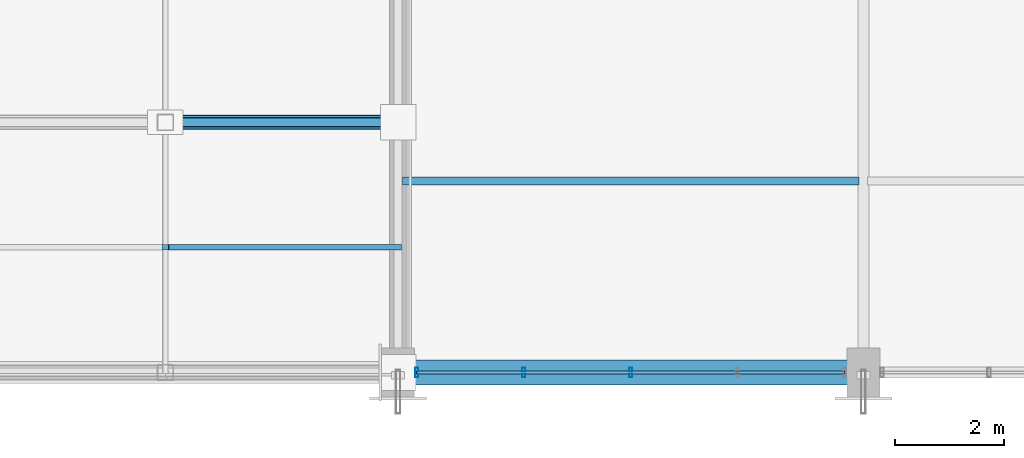
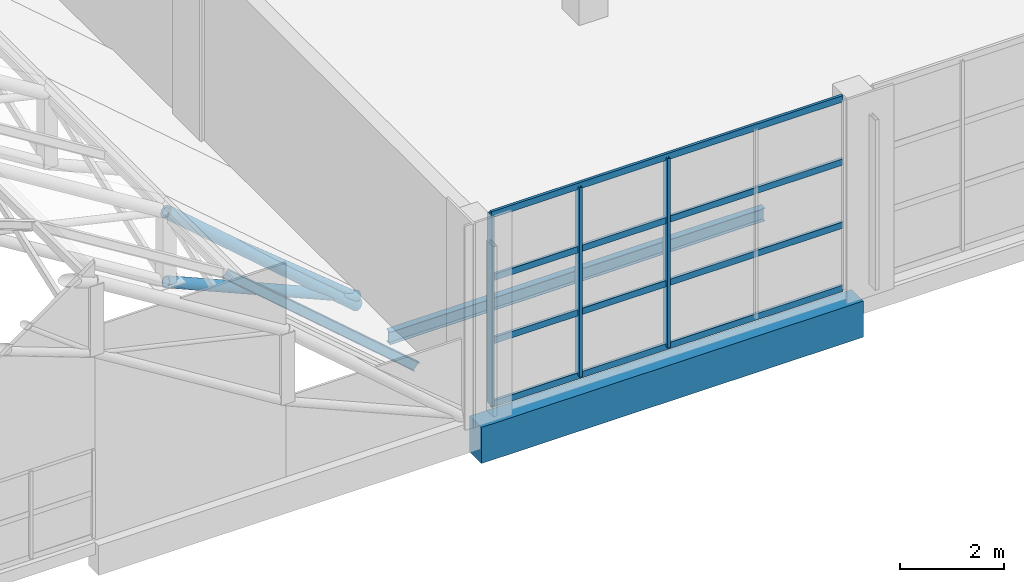
# One storey, part 17 of 86: 11 members, 2 beams, 1 element without a shape of its own.
"""IFC4 building model written with IfcOpenShell, lengths in metres."""

from ifc_helpers import new_model, si_unit, direction, frame, origin, origin_2d, place, context, subcontext, project, spatial, rectangle, hollow_rectangle, hollow_circle, i_section, extrude, material, material_profile, profile_set, type_object, element, aggregate, save


model = new_model("IFC4")

# Units and contexts
model_context = context("Model", 3, precision=1e-05, world=origin(), true_north=direction((0.0, 1.0)))
body_context = subcontext(model_context, "Body", "Model", "MODEL_VIEW")
ifc_project = project(units=[si_unit("LENGTHUNIT", "METRE"), si_unit("AREAUNIT", "SQUARE_METRE"), si_unit("VOLUMEUNIT", "CUBIC_METRE"), si_unit("PLANEANGLEUNIT", "RADIAN"), si_unit("MASSUNIT", "GRAM", prefix="KILO")], contexts=[model_context])

# Site, building, storey
site_placement = place(None, origin())
site = spatial("IfcSite", under=ifc_project, at=site_placement, CompositionType="ELEMENT")
building_placement = place(site_placement, origin())
building = spatial("IfcBuilding", under=site, at=building_placement, Name="Solvikara Media Centre", CompositionType="ELEMENT")
storey_placement = place(building_placement, frame((0.0, 0.0, 15.0)))
storey = spatial("IfcBuildingStorey", under=building, at=storey_placement, Name="L03", CompositionType="ELEMENT", Elevation=15.0)

# Beams
ifc_material_1 = material(Name="Concrete fc' 35 MPa (C35/45)", Category="concrete")
ifc_material_profile_1 = material_profile(ifc_material_1, rectangle(XDim=0.449951171875, YDim=0.85009765625, at=origin_2d()), Name="RC 450x850")
ifc_profile_set_1 = profile_set([ifc_material_profile_1], Name="Concrete fc' 35 MPa (C35/45)")
beam_type_1 = type_object("IfcBeamType", Name="BM-14", PredefinedType="SPANDREL", material=ifc_profile_set_1)
beam_1_placement = place(storey_placement, frame((34.0, 0.0, -0.705078125), z_axis=(1.0, 0.0, 0.0), x_axis=(0.0, 1.0, 0.0)))
element("IfcBeam", 1, at=beam_1_placement, inside=storey, type_object=beam_type_1, Name="B-L03-X1154", PredefinedType="SPANDREL", context=body_context, shape_type="SweptSolid", body=[
    extrude(rectangle(XDim=0.449951171875, YDim=0.85009765625, at=origin_2d()), origin(), (0.0, 0.0, 1.0), 8.5),
])
ifc_material_2 = material(Name="Steel S355JR", Category="steel")
ifc_material_profile_2 = material_profile(ifc_material_2, i_section(OverallWidth=0.14892578125, OverallDepth=0.298095703125, WebThickness=0.005615234375, FlangeThickness=0.008056640625, at=origin_2d()), Name="WF 298x149x5.5x8")
ifc_profile_set_2 = profile_set([ifc_material_profile_2], Name="Steel S355JR")
beam_type_2 = type_object("IfcBeamType", Name="BM-39", PredefinedType="JOIST", material=ifc_profile_set_2)
beam_2_placement = place(storey_placement, frame((34.077880859375, 3.5, -0.430908203125), z_axis=(1.0, 0.0, 0.0), x_axis=(0.0, 1.0, 0.0)))
element("IfcBeam", 2, at=beam_2_placement, inside=storey, type_object=beam_type_2, Name="J-L03-1375", PredefinedType="JOIST", context=body_context, shape_type="SweptSolid", body=[
    extrude(i_section(OverallWidth=0.14892578125, OverallDepth=0.298095703125, WebThickness=0.005615234375, FlangeThickness=0.008056640625, at=origin_2d()), origin(), (0.0, 0.0, 1.0), 8.34423828125),
])

# Members
ifc_material_profile_3 = material_profile(ifc_material_2, hollow_circle(Radius=0.136474609375, WallThickness=0.010009765625, at=origin_2d()), Name="CHS 273x10")
ifc_profile_set_3 = profile_set([ifc_material_profile_3], Name="Steel S355JR")
member_type_1 = type_object("IfcMemberType", Name="MB-03", PredefinedType="CHORD", material=ifc_profile_set_3)
member_1_placement = place(storey_placement, frame((29.75, 4.571044921875, 3.3798828125), z_axis=(0.756439869263, 0.0, -0.654063241736), x_axis=(0.0, 1.0, 0.0)))
element("IfcMember", 3, at=member_1_placement, inside=storey, type_object=member_type_1, Name="Space Frame Vault Chord GC-TC-01-07", PredefinedType="CHORD", context=body_context, shape_type="SweptSolid", body=[
    extrude(hollow_circle(Radius=0.136474609375, WallThickness=0.010009765625, at=origin_2d()), origin(), (0.0, 0.0, 1.0), 5.618408203125),
])
ifc_material_profile_4 = material_profile(ifc_material_2, hollow_circle(Radius=0.122314453125, WallThickness=0.010009765625, at=origin_2d()), Name="CHS 244.5x10")
ifc_profile_set_4 = profile_set([ifc_material_profile_4], Name="Steel S355JR")
member_type_2 = type_object("IfcMemberType", Name="MB-04", PredefinedType="CHORD", material=ifc_profile_set_4)
member_2_placement = place(storey_placement, frame((29.75, 4.571044921875, 1.72998046875), z_axis=(0.918466874624, 0.0, -0.395497914303), x_axis=(0.0, 1.0, 0.0)))
element("IfcMember", 4, at=member_2_placement, inside=storey, type_object=member_type_2, Name="GC-BC-01-07", PredefinedType="CHORD", context=body_context, shape_type="SweptSolid", body=[
    extrude(hollow_circle(Radius=0.122314453125, WallThickness=0.010009765625, at=origin_2d()), origin(), (0.0, 0.0, 1.0), 4.627197265625),
])
ifc_material_profile_5 = material_profile(ifc_material_2, hollow_circle(Radius=0.084228515625, WallThickness=0.007080078125, at=origin_2d()), Name="CHS 168.3x7.1")
ifc_profile_set_5 = profile_set([ifc_material_profile_5], Name="Steel S355JR")
member_type_3 = type_object("IfcMemberType", Name="MB-07", PredefinedType="BRACE", material=ifc_profile_set_5)
member_3_placement = place(storey_placement, frame((29.75, 4.571044921875, 3.3798828125), z_axis=(0.773715650361, 0.0, -0.633533023911), x_axis=(0.0, 1.0, 0.0)))
element("IfcMember", 5, at=member_3_placement, inside=storey, type_object=member_type_3, Name="GC-DG-01-07", PredefinedType="BRACE", context=body_context, shape_type="SweptSolid", body=[
    extrude(hollow_circle(Radius=0.084228515625, WallThickness=0.007080078125, at=origin_2d()), origin(), (0.0, 0.0, 1.0), 5.492919921875),
])
ifc_material_profile_6 = material_profile(ifc_material_2, i_section(OverallWidth=0.10009765625, OverallDepth=0.199951171875, WebThickness=0.005615234375, FlangeThickness=0.008056640625, at=origin_2d()), Name="WF 200x100x5.5x8")
ifc_profile_set_6 = profile_set([ifc_material_profile_6], Name="Steel S355JR")
member_type_4 = type_object("IfcMemberType", Name="MB-21", PredefinedType="PURLIN", material=ifc_profile_set_6)
member_4_placement = place(storey_placement, frame((29.75, 2.284912109375, 3.31494140625), z_axis=(0.756418370394, 0.0, -0.654088104868), x_axis=(0.0, 1.0, 0.0)))
element("IfcMember", 6, at=member_4_placement, inside=storey, type_object=member_type_4, Name="GC-SUB-00-07", PredefinedType="PURLIN", context=body_context, shape_type="SweptSolid", body=[
    extrude(i_section(OverallWidth=0.10009765625, OverallDepth=0.199951171875, WebThickness=0.005615234375, FlangeThickness=0.008056640625, at=origin_2d()), origin(), (0.0, 0.0, 1.0), 5.61865234375),
])

# Curtain wall, members
ifc_material_3 = material(Name="Anodised aluminium EN AW-6063", Category="aluminium")
curtain_wall_type = type_object("IfcCurtainWallType", Name="CW-04", PredefinedType="NOTDEFINED", material=ifc_material_3)
curtain_wall_placement = place(storey_placement, origin())
curtain_wall = element("IfcCurtainWall", 7, at=curtain_wall_placement, inside=storey, type_object=curtain_wall_type, Name="CW-L03-V6S-1", PredefinedType="NOTDEFINED")
ifc_material_profile_7 = material_profile(ifc_material_3, hollow_rectangle(XDim=0.06005859375, YDim=0.179931640625, WallThickness=0.00341796875, at=origin_2d()), Name="ALU-M 60x180x3.5")
ifc_profile_set_7 = profile_set([ifc_material_profile_7], Name="Anodised aluminium EN AW-6063")
member_type_5 = type_object("IfcMemberType", Name="MF-03", PredefinedType="MULLION", material=ifc_profile_set_7)
member_5_placement = place(storey_placement, frame((34.340087890625, 0.0, 0.02001953125), z_axis=(0.0, 0.0, 1.0), x_axis=(1.0, 0.0, 0.0)))
member_5 = element("IfcMember", 8, at=member_5_placement, type_object=member_type_5, Name="CW-L03-V6S-1-M00", PredefinedType="MULLION", context=body_context, shape_type="SweptSolid", body=[
    extrude(hollow_rectangle(XDim=0.06005859375, YDim=0.179931640625, WallThickness=0.00341796875, at=origin_2d()), origin(), (0.0, 0.0, 1.0), 4.4599609375),
])
member_6_placement = place(storey_placement, frame((36.294921875, 0.0, 0.02001953125), z_axis=(0.0, 0.0, 1.0), x_axis=(1.0, 0.0, 0.0)))
member_6 = element("IfcMember", 9, at=member_6_placement, type_object=member_type_5, Name="CW-L03-V6S-1-M01", PredefinedType="MULLION", context=body_context, shape_type="SweptSolid", body=[
    extrude(hollow_rectangle(XDim=0.06005859375, YDim=0.179931640625, WallThickness=0.00341796875, at=origin_2d()), origin(), (0.0, 0.0, 1.0), 4.4599609375),
])
member_7_placement = place(storey_placement, frame((38.25, 0.0, 0.02001953125), z_axis=(0.0, 0.0, 1.0), x_axis=(1.0, 0.0, 0.0)))
member_7 = element("IfcMember", 10, at=member_7_placement, type_object=member_type_5, Name="CW-L03-V6S-1-M02", PredefinedType="MULLION", context=body_context, shape_type="SweptSolid", body=[
    extrude(hollow_rectangle(XDim=0.06005859375, YDim=0.179931640625, WallThickness=0.00341796875, at=origin_2d()), origin(), (0.0, 0.0, 1.0), 4.4599609375),
])
ifc_material_profile_8 = material_profile(ifc_material_3, hollow_rectangle(XDim=0.06005859375, YDim=0.14990234375, WallThickness=0.0029296875, at=origin_2d()), Name="ALU-T 60x150x3")
ifc_profile_set_8 = profile_set([ifc_material_profile_8], Name="Anodised aluminium EN AW-6063")
member_type_6 = type_object("IfcMemberType", Name="MF-09", PredefinedType="USERDEFINED", material=ifc_profile_set_8)
member_8_placement = place(storey_placement, frame((34.340087890625, 0.0, 0.02001953125), z_axis=(1.0, 0.0, 0.0), x_axis=(0.0, 1.0, 0.0)))
member_8 = element("IfcMember", 11, at=member_8_placement, type_object=member_type_6, Name="CW-L03-V6S-1-T00", ObjectType="TRANSOM", PredefinedType="USERDEFINED", context=body_context, shape_type="SweptSolid", body=[
    extrude(hollow_rectangle(XDim=0.06005859375, YDim=0.14990234375, WallThickness=0.0029296875, at=origin_2d()), origin(), (0.0, 0.0, 1.0), 7.81982421875),
])
member_9_placement = place(storey_placement, frame((34.340087890625, 0.0, 1.507080078125), z_axis=(1.0, 0.0, 0.0), x_axis=(0.0, 1.0, 0.0)))
member_9 = element("IfcMember", 12, at=member_9_placement, type_object=member_type_6, Name="CW-L03-V6S-1-T01", ObjectType="TRANSOM", PredefinedType="USERDEFINED", context=body_context, shape_type="SweptSolid", body=[
    extrude(hollow_rectangle(XDim=0.06005859375, YDim=0.14990234375, WallThickness=0.0029296875, at=origin_2d()), origin(), (0.0, 0.0, 1.0), 7.81982421875),
])
member_10_placement = place(storey_placement, frame((34.340087890625, 0.0, 2.992919921875), z_axis=(1.0, 0.0, 0.0), x_axis=(0.0, 1.0, 0.0)))
member_10 = element("IfcMember", 13, at=member_10_placement, type_object=member_type_6, Name="CW-L03-V6S-1-T02", ObjectType="TRANSOM", PredefinedType="USERDEFINED", context=body_context, shape_type="SweptSolid", body=[
    extrude(hollow_rectangle(XDim=0.06005859375, YDim=0.14990234375, WallThickness=0.0029296875, at=origin_2d()), origin(), (0.0, 0.0, 1.0), 7.81982421875),
])
member_11_placement = place(storey_placement, frame((34.340087890625, 0.0, 4.47998046875), z_axis=(1.0, 0.0, 0.0), x_axis=(0.0, 1.0, 0.0)))
member_11 = element("IfcMember", 14, at=member_11_placement, type_object=member_type_6, Name="CW-L03-V6S-1-T03", ObjectType="TRANSOM", PredefinedType="USERDEFINED", context=body_context, shape_type="SweptSolid", body=[
    extrude(hollow_rectangle(XDim=0.06005859375, YDim=0.14990234375, WallThickness=0.0029296875, at=origin_2d()), origin(), (0.0, 0.0, 1.0), 7.81982421875),
])
aggregate(curtain_wall, [member_5, member_6, member_7, member_8, member_9, member_10, member_11])

save(model, "model.ifc")
